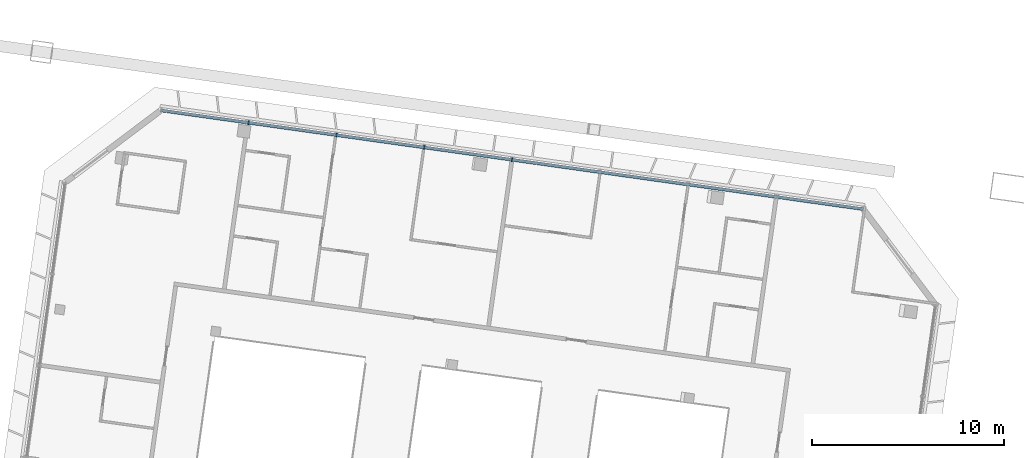
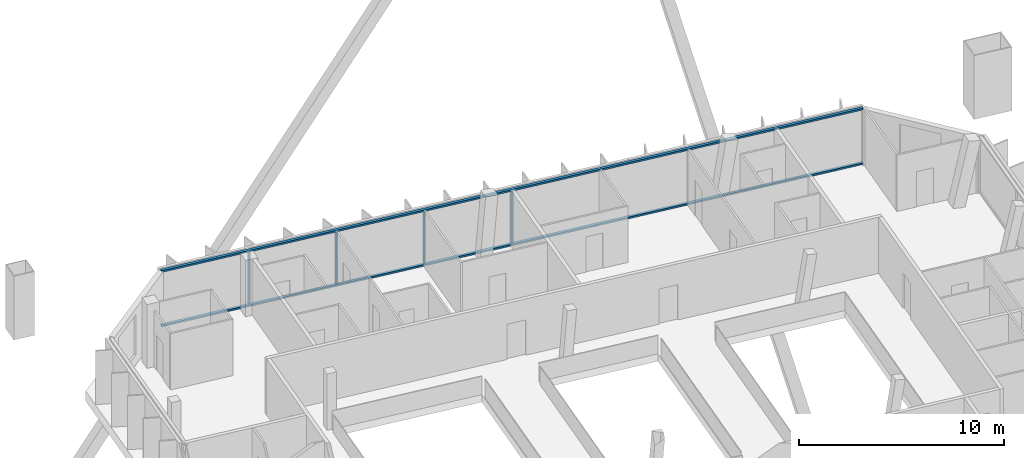
# One storey, part 7 of 28: 6 members, 1 element without a shape of its own.
"""IFC4 building model written with IfcOpenShell, lengths in metres."""

from ifc_helpers import new_model, si_unit, direction, frame, origin, origin_2d, place, context, subcontext, project, spatial, rectangle, extrude, material, material_profile, profile_set, type_object, element, aggregate, save


model = new_model("IFC4")

# Units and contexts
model_context = context("Model", 3, precision=1e-05, world=origin(), true_north=direction((0.0, 1.0)))
body_context = subcontext(model_context, "Body", "Model", "MODEL_VIEW")
ifc_project = project(units=[si_unit("LENGTHUNIT", "METRE"), si_unit("AREAUNIT", "SQUARE_METRE"), si_unit("VOLUMEUNIT", "CUBIC_METRE"), si_unit("PLANEANGLEUNIT", "RADIAN"), si_unit("MASSUNIT", "GRAM", prefix="KILO")], contexts=[model_context])

# Site, building, storey
site_placement = place(None, origin())
site = spatial("IfcSite", under=ifc_project, at=site_placement, CompositionType="ELEMENT")
building_placement = place(site_placement, origin())
building = spatial("IfcBuilding", under=site, at=building_placement, Name="Mirante Cascada Hotel Towers", CompositionType="ELEMENT")
storey_placement = place(building_placement, frame((0.0, 0.0, 243.2)))
storey = spatial("IfcBuildingStorey", under=building, at=storey_placement, Name="L58", CompositionType="ELEMENT", Elevation=243.2)

# Curtain wall, members
ifc_material_1 = material(Name="Aluminium mullion and transom frame with clear laminated glass", Category="aluminium")
curtain_wall_type = type_object("IfcCurtainWallType", Name="Ribbon curtain wall ECW1", PredefinedType="NOTDEFINED", material=ifc_material_1)
curtain_wall_placement = place(storey_placement, origin())
curtain_wall = element("IfcCurtainWall", 1, at=curtain_wall_placement, inside=storey, type_object=curtain_wall_type, Name="Front ribbon wall T1 L58", PredefinedType="NOTDEFINED")
ifc_material_2 = material(Name="Anodised aluminium extrusion", Category="aluminium")
ifc_material_profile_1 = material_profile(ifc_material_2, rectangle(XDim=0.2, YDim=0.065, at=origin_2d()), Name="ECW1 MULLION 65x200")
ifc_profile_set_1 = profile_set([ifc_material_profile_1], Name="Anodised aluminium extrusion")
member_type_1 = type_object("IfcMemberType", Name="ECW1 mullion 65x200", PredefinedType="MULLION", material=ifc_profile_set_1)
member_1_placement = place(storey_placement, frame((-53.9377, 20.3995, 0.1), z_axis=(0.0, 0.0, 1.0), x_axis=(0.1391731, 0.9902681, 0.0)))
member_1 = element("IfcMember", 2, at=member_1_placement, type_object=member_type_1, Name="ECW1 mullion 2", PredefinedType="MULLION", context=body_context, shape_type="SweptSolid", body=[
    extrude(rectangle(XDim=0.2, YDim=0.065, at=origin_2d()), origin(), (0.0, 0.0, 1.0), 3.15),
])
member_2_placement = place(storey_placement, frame((-49.3669, 19.7571, 0.1), z_axis=(0.0, 0.0, 1.0), x_axis=(0.1391731, 0.9902681, 0.0)))
member_2 = element("IfcMember", 3, at=member_2_placement, type_object=member_type_1, Name="ECW1 mullion 3", PredefinedType="MULLION", context=body_context, shape_type="SweptSolid", body=[
    extrude(rectangle(XDim=0.2, YDim=0.065, at=origin_2d()), origin(), (0.0, 0.0, 1.0), 3.15),
])
member_3_placement = place(storey_placement, frame((-44.7961, 19.1147, 0.1), z_axis=(0.0, 0.0, 1.0), x_axis=(0.1391731, 0.9902681, 0.0)))
member_3 = element("IfcMember", 4, at=member_3_placement, type_object=member_type_1, Name="ECW1 mullion 4", PredefinedType="MULLION", context=body_context, shape_type="SweptSolid", body=[
    extrude(rectangle(XDim=0.2, YDim=0.065, at=origin_2d()), origin(), (0.0, 0.0, 1.0), 3.15),
])
member_4_placement = place(storey_placement, frame((-40.2253, 18.4723, 0.1), z_axis=(0.0, 0.0, 1.0), x_axis=(0.1391731, 0.9902681, 0.0)))
member_4 = element("IfcMember", 5, at=member_4_placement, type_object=member_type_1, Name="ECW1 mullion 5", PredefinedType="MULLION", context=body_context, shape_type="SweptSolid", body=[
    extrude(rectangle(XDim=0.2, YDim=0.065, at=origin_2d()), origin(), (0.0, 0.0, 1.0), 3.15),
])
ifc_material_3 = material(Name="Anodised aluminium extrusion", Category="aluminium")
ifc_material_profile_2 = material_profile(ifc_material_3, rectangle(XDim=0.16, YDim=0.1, at=origin_2d()), Name="ECW1 TRANSOM 100x160")
ifc_profile_set_2 = profile_set([ifc_material_profile_2], Name="Anodised aluminium extrusion")
member_type_2 = type_object("IfcMemberType", Name="ECW1 transom 100x160", PredefinedType="USERDEFINED", material=ifc_profile_set_2)
member_5_placement = place(storey_placement, frame((-58.5085, 21.0419, 0.05), z_axis=(0.990268, -0.1391738, 0.0), x_axis=(0.1391738, 0.990268, 0.0)))
member_5 = element("IfcMember", 6, at=member_5_placement, type_object=member_type_2, Name="ECW1 sill transom", ObjectType="TRANSOM", PredefinedType="USERDEFINED", context=body_context, shape_type="SweptSolid", body=[
    extrude(rectangle(XDim=0.16, YDim=0.1, at=origin_2d()), origin(), (0.0, 0.0, 1.0), 36.9258),
])
member_6_placement = place(storey_placement, frame((-58.5085, 21.0419, 3.3), z_axis=(0.990268, -0.1391738, 0.0), x_axis=(0.1391738, 0.990268, 0.0)))
member_6 = element("IfcMember", 7, at=member_6_placement, type_object=member_type_2, Name="ECW1 head transom", ObjectType="TRANSOM", PredefinedType="USERDEFINED", context=body_context, shape_type="SweptSolid", body=[
    extrude(rectangle(XDim=0.16, YDim=0.1, at=origin_2d()), origin(), (0.0, 0.0, 1.0), 36.9258),
])
aggregate(curtain_wall, [member_5, member_6, member_1, member_2, member_3, member_4])

save(model, "model.ifc")
